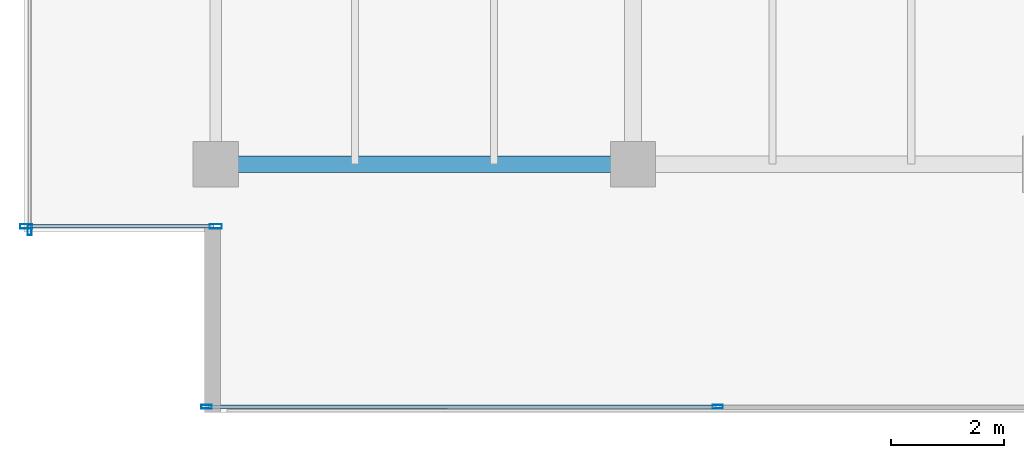
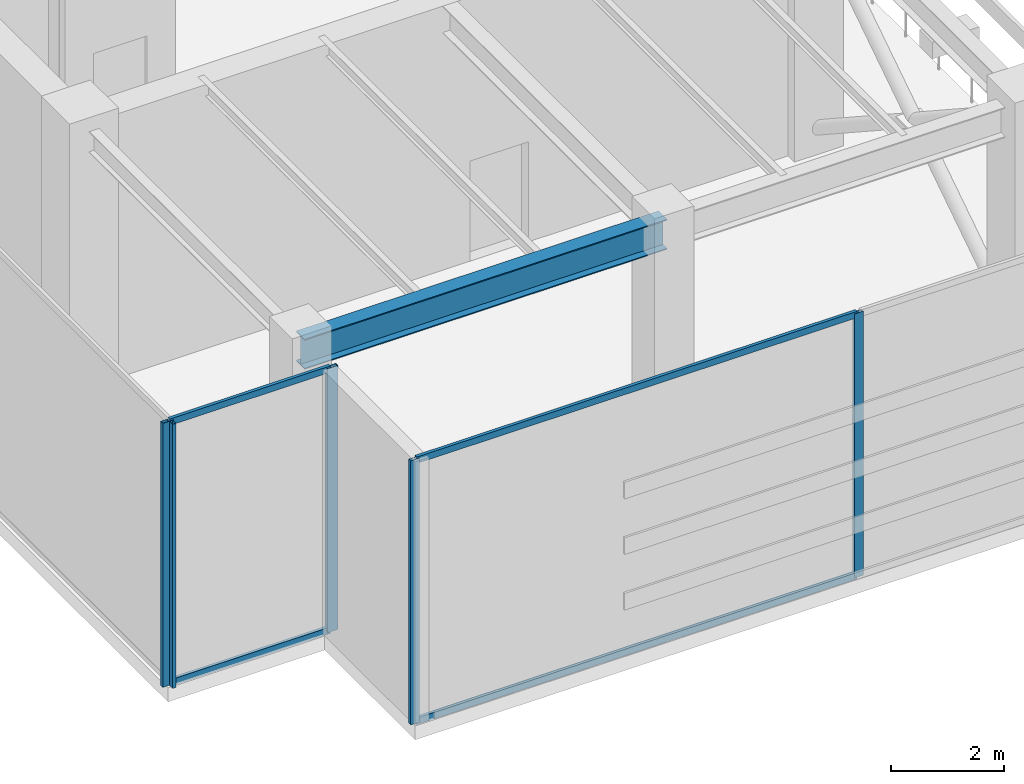
# One storey, part 2 of 30: 9 members, 1 beam, 3 elements without a shape of their own.
"""IFC4 building model written with IfcOpenShell, lengths in metres."""

from ifc_helpers import new_model, si_unit, direction, frame, origin, origin_2d, place, context, subcontext, project, spatial, hollow_rectangle, i_section, extrude, source, transform, mapped, material, layer, layer_set, material_profile, profile_set, type_object, type_shapes, element, aggregate, save


model = new_model("IFC4")

# Units and contexts
model_context = context("Model", 3, precision=1e-05, world=origin(), true_north=direction((0.0, 1.0)))
body_context = subcontext(model_context, "Body", "Model", "MODEL_VIEW")
ifc_project = project(units=[si_unit("LENGTHUNIT", "METRE"), si_unit("AREAUNIT", "SQUARE_METRE"), si_unit("VOLUMEUNIT", "CUBIC_METRE"), si_unit("PLANEANGLEUNIT", "RADIAN"), si_unit("MASSUNIT", "GRAM", prefix="KILO")], contexts=[model_context])

# Site, building, storey
site_placement = place(None, origin())
site = spatial("IfcSite", under=ifc_project, at=site_placement, CompositionType="ELEMENT")
building_placement = place(site_placement, origin())
building = spatial("IfcBuilding", under=site, at=building_placement, Name="Haelvirn Gate Laboratories", CompositionType="ELEMENT")
storey_placement = place(building_placement, frame((0.0, 0.0, 291.60009765625)))
storey = spatial("IfcBuildingStorey", under=building, at=storey_placement, Name="L70", CompositionType="ELEMENT", Elevation=291.60009765625)

# Beam
ifc_material_1 = material(Name="Steel SM355", Category="steel")
ifc_material_profile_1 = material_profile(ifc_material_1, i_section(OverallWidth=0.300048828125, OverallDepth=0.64990234375, WebThickness=0.012939453125, FlangeThickness=0.02197265625, at=origin_2d()), Name="H-650x300x13x22")
ifc_profile_set_1 = profile_set([ifc_material_profile_1], Name="Steel SM355")
beam_type = type_object("IfcBeamType", Name="BM-G-650", PredefinedType="BEAM", material=ifc_profile_set_1)
shared_shape_1 = source(origin(), body_context, "Body", "SweptSolid", [
    extrude(i_section(OverallWidth=0.300048828125, OverallDepth=0.64990234375, WebThickness=0.012939453125, FlangeThickness=0.02197265625, at=origin_2d()), origin(), (0.0, 0.0, 1.0), 7.400146484375),
])
type_shapes(beam_type, [shared_shape_1])
beam_placement = place(storey_placement, frame((7.39990234375, 7.0, 5.375), z_axis=(1.0, 0.0, 0.0), x_axis=(0.0, 1.0, 0.0)))
element("IfcBeam", 1, at=beam_placement, inside=storey, type_object=beam_type, Name="L70 Primary Girder Y7.0 (7.4-14.8)", PredefinedType="BEAM", context=body_context, shape_type="MappedRepresentation", body=[
    mapped(shared_shape_1, transform((0.0, 0.0, 0.0), scale=1.0)),
])

# Curtain wall, members
ifc_material_2 = material(Name="Anodised bronze unitised aluminium & triple low-E glass", Category="aluminium")
ifc_layer_1 = layer(ifc_material_2, 0.181884765625, Name="CW-SYS-5")
ifc_layer_set_1 = layer_set([ifc_layer_1], Name="Anodised bronze unitised aluminium & triple low-E glass")
curtain_wall_type_1 = type_object("IfcCurtainWallType", Name="CW-SYS-5", PredefinedType="NOTDEFINED", material=ifc_layer_set_1)
curtain_wall_1_placement = place(storey_placement, origin())
curtain_wall_1 = element("IfcCurtainWall", 2, at=curtain_wall_1_placement, inside=storey, type_object=curtain_wall_type_1, Name="L70 Unitised Curtain Wall CW-L70-P0-E06-1", PredefinedType="NOTDEFINED")
ifc_material_3 = material(Name="Extruded aluminium 6063-T6 (anodised bronze)", Category="aluminium")
ifc_material_profile_2 = material_profile(ifc_material_3, hollow_rectangle(XDim=0.06494140625, YDim=0.139892578125, WallThickness=0.00390625, at=origin_2d()), Name="CWT-140x65x4")
ifc_profile_set_2 = profile_set([ifc_material_profile_2], Name="Extruded aluminium 6063-T6 (anodised bronze)")
member_type_1 = type_object("IfcMemberType", Name="CWT-T140", PredefinedType="USERDEFINED", material=ifc_profile_set_2)
shared_shape_2 = source(origin(), body_context, "Body", "SweptSolid", [
    extrude(hollow_rectangle(XDim=0.06494140625, YDim=0.139892578125, WallThickness=0.00390625, at=origin_2d()), origin(), (0.0, 0.0, 1.0), 3.280029296875),
])
member_1_placement = place(storey_placement, frame((4.080078125, 5.89990234375, 0.032470703125), z_axis=(1.0, 0.0, 0.0), x_axis=(0.0, 1.0, 0.0)))
member_1 = element("IfcMember", 3, at=member_1_placement, type_object=member_type_1, Name="CW5 transom 1.1", ObjectType="TRANSOM", PredefinedType="USERDEFINED", context=body_context, shape_type="MappedRepresentation", body=[
    mapped(shared_shape_2, transform((0.0, 0.0, 0.0), scale=1.0)),
])
member_2_placement = place(storey_placement, frame((4.080078125, 5.89990234375, 5.66748046875), z_axis=(1.0, 0.0, 0.0), x_axis=(0.0, 1.0, 0.0)))
member_2 = element("IfcMember", 4, at=member_2_placement, type_object=member_type_1, Name="CW5 transom 1.2", ObjectType="TRANSOM", PredefinedType="USERDEFINED", context=body_context, shape_type="MappedRepresentation", body=[
    mapped(shared_shape_2, transform((0.0, 0.0, 0.0), scale=1.0)),
])

ifc_layer_2 = layer(ifc_material_2, 0.176025390625, Name="CW-SYS-4")
ifc_layer_set_2 = layer_set([ifc_layer_2], Name="Anodised bronze unitised aluminium & triple low-E glass")
curtain_wall_type_2 = type_object("IfcCurtainWallType", Name="CW-SYS-4", PredefinedType="NOTDEFINED", material=ifc_layer_set_2)
curtain_wall_2_placement = place(storey_placement, origin())
curtain_wall_2 = element("IfcCurtainWall", 5, at=curtain_wall_2_placement, inside=storey, type_object=curtain_wall_type_2, Name="L70 Unitised Curtain Wall CW-L70-P0-E00-1", PredefinedType="NOTDEFINED")
shared_shape_3 = source(origin(), body_context, "Body", "SweptSolid", [
    extrude(hollow_rectangle(XDim=0.06494140625, YDim=0.139892578125, WallThickness=0.00390625, at=origin_2d()), origin(), (0.0, 0.0, 1.0), 8.994873046875),
])
type_shapes(member_type_1, [shared_shape_2, shared_shape_3])
member_3_placement = place(storey_placement, frame((7.27001953125, 2.699951171875, 0.032470703125), z_axis=(1.0, 0.0, 0.0), x_axis=(0.0, 1.0, 0.0)))
member_3 = element("IfcMember", 6, at=member_3_placement, type_object=member_type_1, Name="CW4 transom 1.1", ObjectType="TRANSOM", PredefinedType="USERDEFINED", context=body_context, shape_type="MappedRepresentation", body=[
    mapped(shared_shape_3, transform((0.0, 0.0, 0.0), scale=1.0)),
])
member_4_placement = place(storey_placement, frame((7.27001953125, 2.699951171875, 5.66748046875), z_axis=(1.0, 0.0, 0.0), x_axis=(0.0, 1.0, 0.0)))
member_4 = element("IfcMember", 7, at=member_4_placement, type_object=member_type_1, Name="CW4 transom 1.2", ObjectType="TRANSOM", PredefinedType="USERDEFINED", context=body_context, shape_type="MappedRepresentation", body=[
    mapped(shared_shape_3, transform((0.0, 0.0, 0.0), scale=1.0)),
])
ifc_material_profile_3 = material_profile(ifc_material_3, hollow_rectangle(XDim=0.070068359375, YDim=0.179931640625, WallThickness=0.0048828125, at=origin_2d()), Name="CWM-180x70x5")
ifc_profile_set_3 = profile_set([ifc_material_profile_3], Name="Extruded aluminium 6063-T6 (anodised bronze)")
member_type_2 = type_object("IfcMemberType", Name="CWM-T180", PredefinedType="MULLION", material=ifc_profile_set_3)
shared_shape_4 = source(origin(), body_context, "Body", "SweptSolid", [
    extrude(hollow_rectangle(XDim=0.070068359375, YDim=0.179931640625, WallThickness=0.0048828125, at=origin_2d()), origin(), (0.0, 0.0, 1.0), 5.699951171875),
])
type_shapes(member_type_2, [shared_shape_4])
member_5_placement = place(storey_placement, frame((7.235107421875, 2.699951171875, 0.0), z_axis=(0.0, 0.0, 1.0), x_axis=(0.0, 1.0, 0.0)))
member_5 = element("IfcMember", 8, at=member_5_placement, type_object=member_type_2, Name="CW4 mullion 1", PredefinedType="MULLION", context=body_context, shape_type="MappedRepresentation", body=[
    mapped(shared_shape_4, transform((0.0, 0.0, 0.0), scale=1.0)),
])
member_6_placement = place(storey_placement, frame((16.300048828125, 2.699951171875, 0.0), z_axis=(0.0, 0.0, 1.0), x_axis=(0.0, 1.0, 0.0)))
member_6 = element("IfcMember", 9, at=member_6_placement, type_object=member_type_2, Name="CW4 mullion 2", PredefinedType="MULLION", context=body_context, shape_type="MappedRepresentation", body=[
    mapped(shared_shape_4, transform((0.0, 0.0, 0.0), scale=1.0)),
])
aggregate(curtain_wall_2, [member_5, member_6, member_3, member_4])

# Curtain wall, member
curtain_wall_3_placement = place(storey_placement, origin())
curtain_wall_3 = element("IfcCurtainWall", 10, at=curtain_wall_3_placement, inside=storey, type_object=curtain_wall_type_2, Name="L70 Unitised Curtain Wall CW-L70-P0-E05", PredefinedType="NOTDEFINED")
member_7_placement = place(storey_placement, frame((4.10009765625, 5.8349609375, 0.0), z_axis=(0.0, 0.0, 1.0), x_axis=(1.0, 0.0, 0.0)))
member_7 = element("IfcMember", 11, at=member_7_placement, type_object=member_type_2, Name="CW4 mullion 3", PredefinedType="MULLION", context=body_context, shape_type="MappedRepresentation", body=[
    mapped(shared_shape_4, transform((0.0, 0.0, 0.0), scale=1.0)),
])
aggregate(curtain_wall_3, [member_7])

# Member
ifc_material_profile_4 = material_profile(ifc_material_3, hollow_rectangle(XDim=0.080078125, YDim=0.219970703125, WallThickness=0.006103515625, at=origin_2d()), Name="CWM-220x80x6")
ifc_profile_set_4 = profile_set([ifc_material_profile_4], Name="Extruded aluminium 6063-T6 (anodised bronze)")
member_type_3 = type_object("IfcMemberType", Name="CWM-T220", PredefinedType="MULLION", material=ifc_profile_set_4)
shared_shape_5 = source(origin(), body_context, "Body", "SweptSolid", [
    extrude(hollow_rectangle(XDim=0.080078125, YDim=0.219970703125, WallThickness=0.006103515625, at=origin_2d()), origin(), (0.0, 0.0, 1.0), 5.699951171875),
])
type_shapes(member_type_3, [shared_shape_5])
member_8_placement = place(storey_placement, frame((4.0400390625, 5.89990234375, 0.0), z_axis=(0.0, 0.0, 1.0), x_axis=(0.0, 1.0, 0.0)))
member_8 = element("IfcMember", 12, at=member_8_placement, type_object=member_type_3, Name="CW5 mullion 1", PredefinedType="MULLION", context=body_context, shape_type="MappedRepresentation", body=[
    mapped(shared_shape_5, transform((0.0, 0.0, 0.0), scale=1.0)),
])

member_9_placement = place(storey_placement, frame((7.39990234375, 5.89990234375, 0.0), z_axis=(0.0, 0.0, 1.0), x_axis=(0.0, 1.0, 0.0)))
member_9 = element("IfcMember", 13, at=member_9_placement, type_object=member_type_3, Name="CW5 mullion 2", PredefinedType="MULLION", context=body_context, shape_type="MappedRepresentation", body=[
    mapped(shared_shape_5, transform((0.0, 0.0, 0.0), scale=1.0)),
])

aggregate(curtain_wall_1, [member_8, member_9, member_1, member_2])

save(model, "model.ifc")
